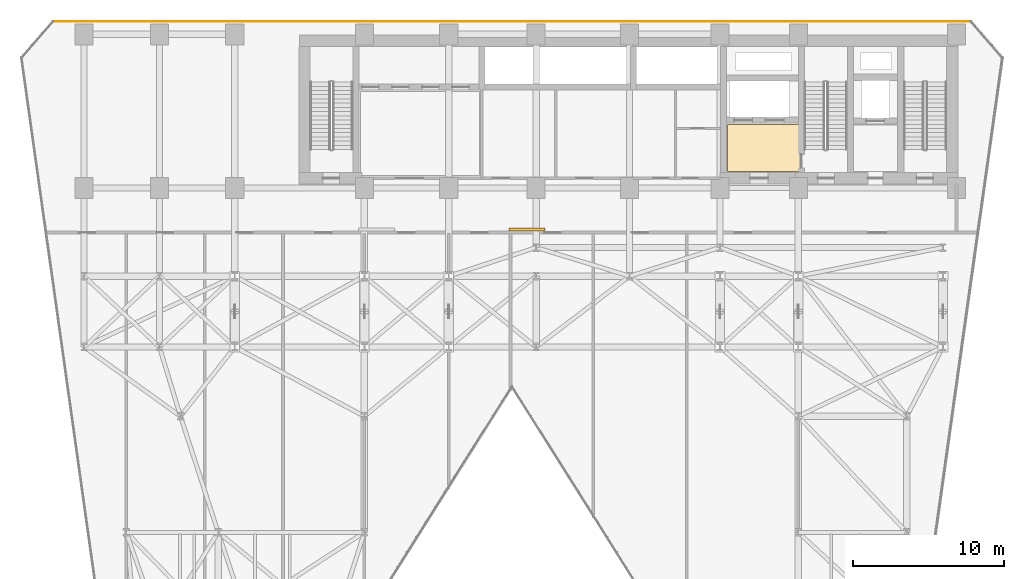
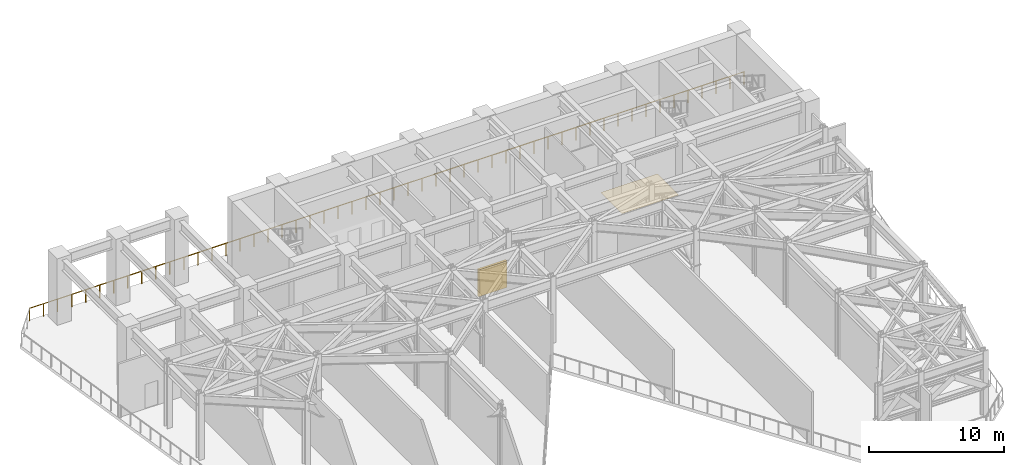
# One storey, part 11 of 12: 1 covering, 1 railing, 1 shading device.
"""IFC4 building model written with IfcOpenShell, lengths in metres."""

from ifc_helpers import new_model, si_unit, direction, frame, origin, origin_2d, place, context, subcontext, project, spatial, polyline, rectangle, circle, outline, extrude, material, layer, layer_set, type_object, element, save


model = new_model("IFC4")

# Units and contexts
model_context = context("Model", 3, precision=1e-05, world=origin(), true_north=direction((0.0, 1.0)))
body_context = subcontext(model_context, "Body", "Model", "MODEL_VIEW")
ifc_project = project(units=[si_unit("LENGTHUNIT", "METRE"), si_unit("AREAUNIT", "SQUARE_METRE"), si_unit("VOLUMEUNIT", "CUBIC_METRE"), si_unit("PLANEANGLEUNIT", "RADIAN"), si_unit("MASSUNIT", "GRAM", prefix="KILO")], contexts=[model_context])

# Site, building, storey
site_placement = place(None, origin())
site = spatial("IfcSite", under=ifc_project, at=site_placement, CompositionType="ELEMENT")
building_placement = place(site_placement, origin())
building = spatial("IfcBuilding", under=site, at=building_placement, Name="Kravanh Interchange Tower", CompositionType="ELEMENT")
storey_placement = place(building_placement, frame((0.0, 0.0, 85.5)))
storey = spatial("IfcBuildingStorey", under=building, at=storey_placement, Name="L20", CompositionType="ELEMENT", Elevation=85.5)

# Shading device
ifc_material_1 = material(Name="Extruded Bronze Aluminium Acoustic Blades", Category="aluminium")
ifc_layer_1 = layer(ifc_material_1, 0.219970703125)
ifc_layer_set_1 = layer_set([ifc_layer_1], Name="Acoustic Weatherproof Plant Louvre Bank")
shading_device_type = type_object("IfcShadingDeviceType", Name="Acoustic Weatherproof Plant Louvre Bank", PredefinedType="JALOUSIE", material=ifc_layer_set_1)
shading_device_placement = place(storey_placement, frame((38.0, 34.60009765625, 0.0), z_axis=(0.0, 0.0, 1.0), x_axis=(1.0, 0.0, 0.0)))
element("IfcShadingDevice", 1, at=shading_device_placement, inside=storey, type_object=shading_device_type, Name="L20 Plant Acoustic Intake Louvre 2", PredefinedType="JALOUSIE", context=body_context, shape_type="SweptSolid", body=[
    extrude(rectangle(XDim=2.39990234375, YDim=0.219970703125, at=origin_2d()), origin(), (0.0, 0.0, 1.0), 2.39990234375),
])

# Covering
ifc_material_2 = material(Name="Cementitious Terrazzo Tile")
ifc_layer_2 = layer(ifc_material_2, 0.030029296875)
ifc_layer_set_2 = layer_set([ifc_layer_2], Name="Honed Terrazzo Lobby Flooring 30mm")
covering_type = type_object("IfcCoveringType", Name="Honed Terrazzo Lobby Flooring 30mm", PredefinedType="FLOORING", material=ifc_layer_set_2)
covering_placement = place(storey_placement, origin())
element("IfcCovering", 2, at=covering_placement, inside=storey, type_object=covering_type, Name="L20 Firefighting Lobby Floor Finish", PredefinedType="FLOORING", context=body_context, shape_type="SweptSolid", body=[
    extrude(outline(polyline([(56.1201171875, 38.4599609375), (51.300048828125, 38.4599609375), (51.300048828125, 41.580078125), (56.1201171875, 41.580078125), (56.1201171875, 38.4599609375)])), origin(), (0.0, 0.0, 1.0), 0.030029296875),
])

# Railing
ifc_material_3 = material(Name="Structural Steel S355", Category="steel")
ifc_layer_3 = layer(ifc_material_3, 0.070068359375)
ifc_layer_set_3 = layer_set([ifc_layer_3], Name="Wind Storey Perimeter Safety Guardrail Structural Steel S355 1150mm")
railing_type = type_object("IfcRailingType", Name="Wind Storey Perimeter Safety Guardrail Structural Steel S355 1150mm", PredefinedType="GUARDRAIL", material=ifc_layer_set_3)
railing_placement = place(storey_placement, frame((6.545654296875, 48.39990234375, 0.0)))
element("IfcRailing", 3, at=railing_placement, inside=storey, type_object=railing_type, Name="L20 Open Wind Floor Perimeter Guardrail 3", PredefinedType="GUARDRAIL", context=body_context, shape_type="SweptSolid", body=[
    extrude(circle(Radius=0.02392578125, at=origin_2d()), frame((0.0, 0.0, 1.1259765625), z_axis=(1.0, 0.0, 0.0), x_axis=(0.0, 1.0, 0.0)), (0.0, 0.0, 1.0), 60.90869140625),
    extrude(circle(Radius=0.02099609375, at=origin_2d()), origin(), (0.0, 0.0, 1.0), 1.101806640625),
    extrude(circle(Radius=0.02099609375, at=origin_2d()), frame((1.1943359375, 0.0, 0.0)), (0.0, 0.0, 1.0), 1.101806640625),
    extrude(circle(Radius=0.02099609375, at=origin_2d()), frame((2.388671875, 0.0, 0.0)), (0.0, 0.0, 1.0), 1.101806640625),
    extrude(circle(Radius=0.02099609375, at=origin_2d()), frame((3.582763671875, 0.0, 0.0)), (0.0, 0.0, 1.0), 1.101806640625),
    extrude(circle(Radius=0.02099609375, at=origin_2d()), frame((4.777099609375, 0.0, 0.0)), (0.0, 0.0, 1.0), 1.101806640625),
    extrude(circle(Radius=0.02099609375, at=origin_2d()), frame((5.971435546875, 0.0, 0.0)), (0.0, 0.0, 1.0), 1.101806640625),
    extrude(circle(Radius=0.02099609375, at=origin_2d()), frame((7.165771484375, 0.0, 0.0)), (0.0, 0.0, 1.0), 1.101806640625),
    extrude(circle(Radius=0.02099609375, at=origin_2d()), frame((8.360107421875, 0.0, 0.0)), (0.0, 0.0, 1.0), 1.101806640625),
    extrude(circle(Radius=0.02099609375, at=origin_2d()), frame((9.55419921875, 0.0, 0.0)), (0.0, 0.0, 1.0), 1.101806640625),
    extrude(circle(Radius=0.02099609375, at=origin_2d()), frame((10.74853515625, 0.0, 0.0)), (0.0, 0.0, 1.0), 1.101806640625),
    extrude(circle(Radius=0.02099609375, at=origin_2d()), frame((11.94287109375, 0.0, 0.0)), (0.0, 0.0, 1.0), 1.101806640625),
    extrude(circle(Radius=0.02099609375, at=origin_2d()), frame((13.13720703125, 0.0, 0.0)), (0.0, 0.0, 1.0), 1.101806640625),
    extrude(circle(Radius=0.02099609375, at=origin_2d()), frame((14.33154296875, 0.0, 0.0)), (0.0, 0.0, 1.0), 1.101806640625),
    extrude(circle(Radius=0.02099609375, at=origin_2d()), frame((15.525634765625, 0.0, 0.0)), (0.0, 0.0, 1.0), 1.101806640625),
    extrude(circle(Radius=0.02099609375, at=origin_2d()), frame((16.719970703125, 0.0, 0.0)), (0.0, 0.0, 1.0), 1.101806640625),
    extrude(circle(Radius=0.02099609375, at=origin_2d()), frame((17.914306640625, 0.0, 0.0)), (0.0, 0.0, 1.0), 1.101806640625),
    extrude(circle(Radius=0.02099609375, at=origin_2d()), frame((19.108642578125, 0.0, 0.0)), (0.0, 0.0, 1.0), 1.101806640625),
    extrude(circle(Radius=0.02099609375, at=origin_2d()), frame((20.302978515625, 0.0, 0.0)), (0.0, 0.0, 1.0), 1.101806640625),
    extrude(circle(Radius=0.02099609375, at=origin_2d()), frame((21.4970703125, 0.0, 0.0)), (0.0, 0.0, 1.0), 1.101806640625),
    extrude(circle(Radius=0.02099609375, at=origin_2d()), frame((22.69140625, 0.0, 0.0)), (0.0, 0.0, 1.0), 1.101806640625),
    extrude(circle(Radius=0.02099609375, at=origin_2d()), frame((23.8857421875, 0.0, 0.0)), (0.0, 0.0, 1.0), 1.101806640625),
    extrude(circle(Radius=0.02099609375, at=origin_2d()), frame((25.080078125, 0.0, 0.0)), (0.0, 0.0, 1.0), 1.101806640625),
    extrude(circle(Radius=0.02099609375, at=origin_2d()), frame((26.2744140625, 0.0, 0.0)), (0.0, 0.0, 1.0), 1.101806640625),
    extrude(circle(Radius=0.02099609375, at=origin_2d()), frame((27.468505859375, 0.0, 0.0)), (0.0, 0.0, 1.0), 1.101806640625),
    extrude(circle(Radius=0.02099609375, at=origin_2d()), frame((28.662841796875, 0.0, 0.0)), (0.0, 0.0, 1.0), 1.101806640625),
    extrude(circle(Radius=0.02099609375, at=origin_2d()), frame((29.857177734375, 0.0, 0.0)), (0.0, 0.0, 1.0), 1.101806640625),
    extrude(circle(Radius=0.02099609375, at=origin_2d()), frame((31.051513671875, 0.0, 0.0)), (0.0, 0.0, 1.0), 1.101806640625),
    extrude(circle(Radius=0.02099609375, at=origin_2d()), frame((32.245849609375, 0.0, 0.0)), (0.0, 0.0, 1.0), 1.101806640625),
    extrude(circle(Radius=0.02099609375, at=origin_2d()), frame((33.440185546875, 0.0, 0.0)), (0.0, 0.0, 1.0), 1.101806640625),
    extrude(circle(Radius=0.02099609375, at=origin_2d()), frame((34.63427734375, 0.0, 0.0)), (0.0, 0.0, 1.0), 1.101806640625),
    extrude(circle(Radius=0.02099609375, at=origin_2d()), frame((35.82861328125, 0.0, 0.0)), (0.0, 0.0, 1.0), 1.101806640625),
    extrude(circle(Radius=0.02099609375, at=origin_2d()), frame((37.02294921875, 0.0, 0.0)), (0.0, 0.0, 1.0), 1.101806640625),
    extrude(circle(Radius=0.02099609375, at=origin_2d()), frame((38.21728515625, 0.0, 0.0)), (0.0, 0.0, 1.0), 1.101806640625),
    extrude(circle(Radius=0.02099609375, at=origin_2d()), frame((39.41162109375, 0.0, 0.0)), (0.0, 0.0, 1.0), 1.101806640625),
    extrude(circle(Radius=0.02099609375, at=origin_2d()), frame((40.605712890625, 0.0, 0.0)), (0.0, 0.0, 1.0), 1.101806640625),
    extrude(circle(Radius=0.02099609375, at=origin_2d()), frame((41.800048828125, 0.0, 0.0)), (0.0, 0.0, 1.0), 1.101806640625),
    extrude(circle(Radius=0.02099609375, at=origin_2d()), frame((42.994384765625, 0.0, 0.0)), (0.0, 0.0, 1.0), 1.101806640625),
    extrude(circle(Radius=0.02099609375, at=origin_2d()), frame((44.188720703125, 0.0, 0.0)), (0.0, 0.0, 1.0), 1.101806640625),
    extrude(circle(Radius=0.02099609375, at=origin_2d()), frame((45.383056640625, 0.0, 0.0)), (0.0, 0.0, 1.0), 1.101806640625),
    extrude(circle(Radius=0.02099609375, at=origin_2d()), frame((46.5771484375, 0.0, 0.0)), (0.0, 0.0, 1.0), 1.101806640625),
    extrude(circle(Radius=0.02099609375, at=origin_2d()), frame((47.771484375, 0.0, 0.0)), (0.0, 0.0, 1.0), 1.101806640625),
    extrude(circle(Radius=0.02099609375, at=origin_2d()), frame((48.9658203125, 0.0, 0.0)), (0.0, 0.0, 1.0), 1.101806640625),
    extrude(circle(Radius=0.02099609375, at=origin_2d()), frame((50.16015625, 0.0, 0.0)), (0.0, 0.0, 1.0), 1.101806640625),
    extrude(circle(Radius=0.02099609375, at=origin_2d()), frame((51.3544921875, 0.0, 0.0)), (0.0, 0.0, 1.0), 1.101806640625),
    extrude(circle(Radius=0.02099609375, at=origin_2d()), frame((52.548583984375, 0.0, 0.0)), (0.0, 0.0, 1.0), 1.101806640625),
    extrude(circle(Radius=0.02099609375, at=origin_2d()), frame((53.742919921875, 0.0, 0.0)), (0.0, 0.0, 1.0), 1.101806640625),
    extrude(circle(Radius=0.02099609375, at=origin_2d()), frame((54.937255859375, 0.0, 0.0)), (0.0, 0.0, 1.0), 1.101806640625),
    extrude(circle(Radius=0.02099609375, at=origin_2d()), frame((56.131591796875, 0.0, 0.0)), (0.0, 0.0, 1.0), 1.101806640625),
    extrude(circle(Radius=0.02099609375, at=origin_2d()), frame((57.325927734375, 0.0, 0.0)), (0.0, 0.0, 1.0), 1.101806640625),
    extrude(circle(Radius=0.02099609375, at=origin_2d()), frame((58.52001953125, 0.0, 0.0)), (0.0, 0.0, 1.0), 1.101806640625),
    extrude(circle(Radius=0.02099609375, at=origin_2d()), frame((59.71435546875, 0.0, 0.0)), (0.0, 0.0, 1.0), 1.101806640625),
    extrude(circle(Radius=0.02099609375, at=origin_2d()), frame((60.90869140625, 0.0, 0.0)), (0.0, 0.0, 1.0), 1.101806640625),
])

save(model, "model.ifc")
